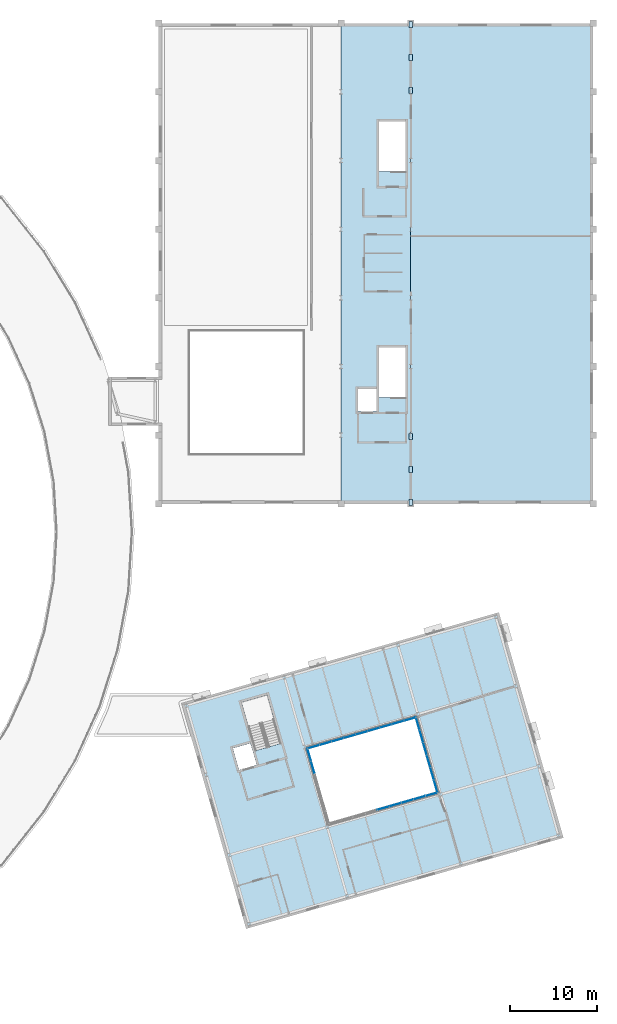
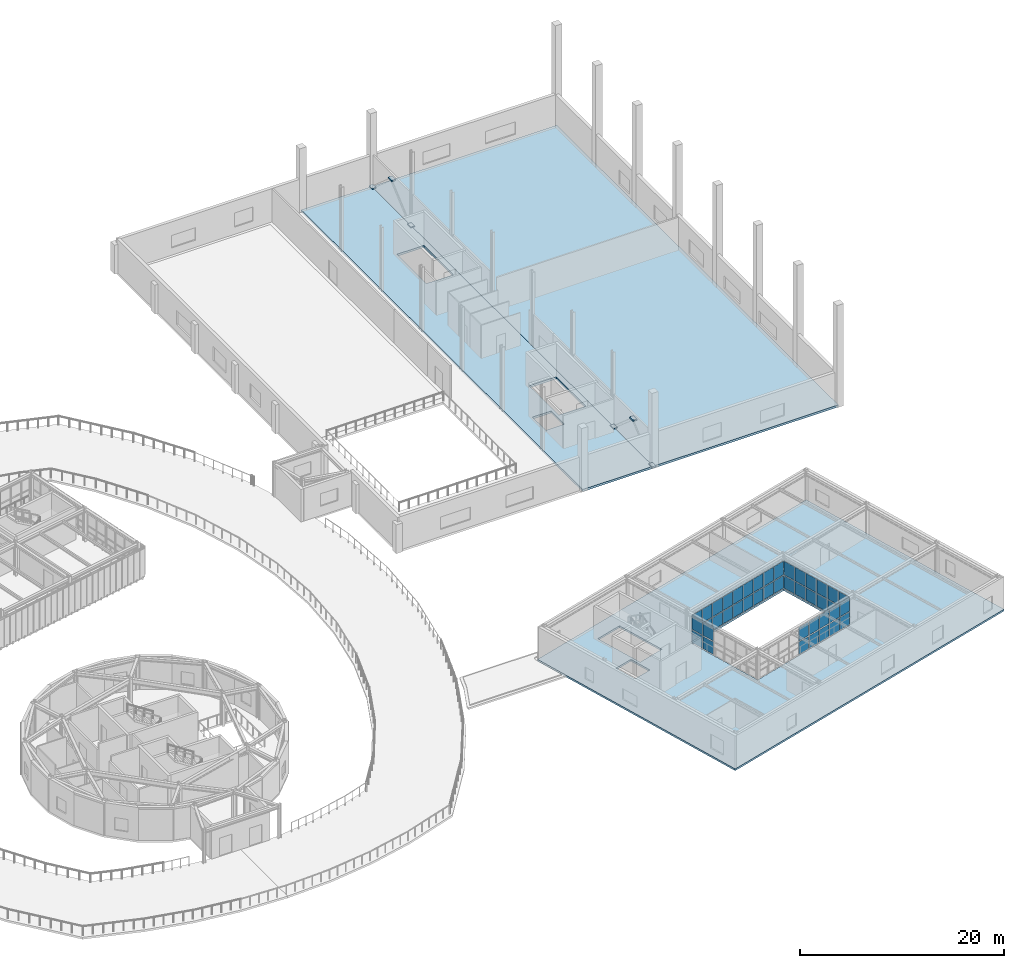
# One storey, part 30 of 59: 50 plates, 3 slabs, 4 elements without a shape of their own.
"""IFC4 building model written with IfcOpenShell, lengths in metres."""

from ifc_helpers import new_model, si_unit, direction, frame, origin, origin_2d, place, context, subcontext, project, spatial, polyline, rectangle, outline, extrude, material, layer, layer_set, type_object, element, aggregate, save


model = new_model("IFC4")

# Units and contexts
model_context = context("Model", 3, precision=1e-05, world=origin(), true_north=direction((0.0, 1.0)))
body_context = subcontext(model_context, "Body", "Model", "MODEL_VIEW")
ifc_project = project(units=[si_unit("LENGTHUNIT", "METRE"), si_unit("AREAUNIT", "SQUARE_METRE"), si_unit("VOLUMEUNIT", "CUBIC_METRE"), si_unit("PLANEANGLEUNIT", "RADIAN"), si_unit("MASSUNIT", "GRAM", prefix="KILO")], contexts=[model_context])

# Site, building, storey
site_placement = place(None, origin())
site = spatial("IfcSite", under=ifc_project, at=site_placement, CompositionType="ELEMENT")
building_placement = place(site_placement, origin())
building = spatial("IfcBuilding", under=site, at=building_placement, Name="Varnklinge Art Gallery", CompositionType="ELEMENT")
storey_placement = place(building_placement, frame((0.0, 0.0, 9.52001953125)))
storey = spatial("IfcBuildingStorey", under=building, at=storey_placement, Name="L02", CompositionType="ELEMENT", Elevation=9.52001953125)

# Curtain wall, plates
ifc_material_1 = material(Name="Anodised Aluminium", Category="aluminium")
curtain_wall_type = type_object("IfcCurtainWallType", Name="CW-C03", PredefinedType="USERDEFINED", material=ifc_material_1)
curtain_wall_1_placement = place(storey_placement, origin())
curtain_wall_1 = element("IfcCurtainWall", 1, at=curtain_wall_1_placement, inside=storey, type_object=curtain_wall_type, Name="L02 Curtain Wall CW-V6C-L02-1", ObjectType="UNITISED CURTAIN WALL", PredefinedType="USERDEFINED")
ifc_material_2 = material(Name="Insulated Low-E Triple Glazing", Category="glass")
ifc_layer_1 = layer(ifc_material_2, 0.031982421875)
ifc_layer_set_1 = layer_set([ifc_layer_1], Name="Insulated Low-E Triple Glazing")
plate_type_1 = type_object("IfcPlateType", Name="GLZ-32", PredefinedType="CURTAIN_PANEL", material=ifc_layer_set_1)
plate_1_placement = place(storey_placement, frame((145.77978515625, 24.7626953125, 0.1181640625), z_axis=(0.0, 0.0, 1.0), x_axis=(-0.961261695938, -0.275637355817, 0.0)))
plate_1 = element("IfcPlate", 2, at=plate_1_placement, type_object=plate_type_1, Name="CW-V6C-L02-1 Glazing Panel 1.1", PredefinedType="CURTAIN_PANEL", context=body_context, shape_type="SweptSolid", body=[
    extrude(rectangle(XDim=1.3583984375, YDim=0.031982421875, at=origin_2d()), origin(), (0.0, 0.0, 1.0), 1.489501953125),
])
plate_2_placement = place(storey_placement, frame((145.77978515625, 24.7626953125, 1.7236328125), z_axis=(0.0, 0.0, 1.0), x_axis=(-0.961261695938, -0.275637355817, 0.0)))
plate_2 = element("IfcPlate", 3, at=plate_2_placement, type_object=plate_type_1, Name="CW-V6C-L02-1 Glazing Panel 1.2", PredefinedType="CURTAIN_PANEL", context=body_context, shape_type="SweptSolid", body=[
    extrude(rectangle(XDim=1.3583984375, YDim=0.031982421875, at=origin_2d()), origin(), (0.0, 0.0, 1.0), 1.62841796875),
])
plate_3_placement = place(storey_placement, frame((144.406005859375, 24.368896484375, 0.1181640625), z_axis=(0.0, 0.0, 1.0), x_axis=(-0.961261695938, -0.275637355817, 0.0)))
plate_3 = element("IfcPlate", 4, at=plate_3_placement, type_object=plate_type_1, Name="CW-V6C-L02-1 Glazing Panel 2.1", PredefinedType="CURTAIN_PANEL", context=body_context, shape_type="SweptSolid", body=[
    extrude(rectangle(XDim=1.388427734375, YDim=0.031982421875, at=origin_2d()), origin(), (0.0, 0.0, 1.0), 1.489501953125),
])
plate_4_placement = place(storey_placement, frame((144.406005859375, 24.368896484375, 1.7236328125), z_axis=(0.0, 0.0, 1.0), x_axis=(-0.961261695938, -0.275637355817, 0.0)))
plate_4 = element("IfcPlate", 5, at=plate_4_placement, type_object=plate_type_1, Name="CW-V6C-L02-1 Glazing Panel 2.2", PredefinedType="CURTAIN_PANEL", context=body_context, shape_type="SweptSolid", body=[
    extrude(rectangle(XDim=1.388427734375, YDim=0.031982421875, at=origin_2d()), origin(), (0.0, 0.0, 1.0), 1.62841796875),
])
plate_5_placement = place(storey_placement, frame((143.017333984375, 23.970703125, 0.1181640625), z_axis=(0.0, 0.0, 1.0), x_axis=(-0.961261695938, -0.275637355817, 0.0)))
plate_5 = element("IfcPlate", 6, at=plate_5_placement, type_object=plate_type_1, Name="CW-V6C-L02-1 Glazing Panel 3.1", PredefinedType="CURTAIN_PANEL", context=body_context, shape_type="SweptSolid", body=[
    extrude(rectangle(XDim=1.388427734375, YDim=0.031982421875, at=origin_2d()), origin(), (0.0, 0.0, 1.0), 1.489501953125),
])
plate_6_placement = place(storey_placement, frame((143.017333984375, 23.970703125, 1.7236328125), z_axis=(0.0, 0.0, 1.0), x_axis=(-0.961261695938, -0.275637355817, 0.0)))
plate_6 = element("IfcPlate", 7, at=plate_6_placement, type_object=plate_type_1, Name="CW-V6C-L02-1 Glazing Panel 3.2", PredefinedType="CURTAIN_PANEL", context=body_context, shape_type="SweptSolid", body=[
    extrude(rectangle(XDim=1.388427734375, YDim=0.031982421875, at=origin_2d()), origin(), (0.0, 0.0, 1.0), 1.62841796875),
])
plate_7_placement = place(storey_placement, frame((141.62890625, 23.572509765625, 0.1181640625), z_axis=(0.0, 0.0, 1.0), x_axis=(-0.961261695938, -0.275637355817, 0.0)))
plate_7 = element("IfcPlate", 8, at=plate_7_placement, type_object=plate_type_1, Name="CW-V6C-L02-1 Glazing Panel 4.1", PredefinedType="CURTAIN_PANEL", context=body_context, shape_type="SweptSolid", body=[
    extrude(rectangle(XDim=1.388427734375, YDim=0.031982421875, at=origin_2d()), origin(), (0.0, 0.0, 1.0), 1.489501953125),
])
plate_8_placement = place(storey_placement, frame((141.62890625, 23.572509765625, 1.7236328125), z_axis=(0.0, 0.0, 1.0), x_axis=(-0.961261695938, -0.275637355817, 0.0)))
plate_8 = element("IfcPlate", 9, at=plate_8_placement, type_object=plate_type_1, Name="CW-V6C-L02-1 Glazing Panel 4.2", PredefinedType="CURTAIN_PANEL", context=body_context, shape_type="SweptSolid", body=[
    extrude(rectangle(XDim=1.388427734375, YDim=0.031982421875, at=origin_2d()), origin(), (0.0, 0.0, 1.0), 1.62841796875),
])
plate_9_placement = place(storey_placement, frame((140.240478515625, 23.17431640625, 0.1181640625), z_axis=(0.0, 0.0, 1.0), x_axis=(-0.961261695938, -0.275637355817, 0.0)))
plate_9 = element("IfcPlate", 10, at=plate_9_placement, type_object=plate_type_1, Name="CW-V6C-L02-1 Glazing Panel 5.1", PredefinedType="CURTAIN_PANEL", context=body_context, shape_type="SweptSolid", body=[
    extrude(rectangle(XDim=1.388427734375, YDim=0.031982421875, at=origin_2d()), origin(), (0.0, 0.0, 1.0), 1.489501953125),
])
plate_10_placement = place(storey_placement, frame((140.240478515625, 23.17431640625, 1.7236328125), z_axis=(0.0, 0.0, 1.0), x_axis=(-0.961261695938, -0.275637355817, 0.0)))
plate_10 = element("IfcPlate", 11, at=plate_10_placement, type_object=plate_type_1, Name="CW-V6C-L02-1 Glazing Panel 5.2", PredefinedType="CURTAIN_PANEL", context=body_context, shape_type="SweptSolid", body=[
    extrude(rectangle(XDim=1.388427734375, YDim=0.031982421875, at=origin_2d()), origin(), (0.0, 0.0, 1.0), 1.62841796875),
])
aggregate(curtain_wall_1, [plate_1, plate_2, plate_3, plate_4, plate_5, plate_6, plate_7, plate_8, plate_9, plate_10])

curtain_wall_2_placement = place(storey_placement, origin())
curtain_wall_2 = element("IfcCurtainWall", 12, at=curtain_wall_2_placement, inside=storey, type_object=curtain_wall_type, Name="L02 Curtain Wall CW-V6C-L02-2", ObjectType="UNITISED CURTAIN WALL", PredefinedType="USERDEFINED")
plate_11_placement = place(storey_placement, frame((144.21875, 32.8818359375, 0.1181640625), z_axis=(0.0, 0.0, 1.0), x_axis=(0.275637355817, -0.961261695938, 0.0)))
plate_11 = element("IfcPlate", 13, at=plate_11_placement, type_object=plate_type_1, Name="CW-V6C-L02-2 Glazing Panel 1.1", PredefinedType="CURTAIN_PANEL", context=body_context, shape_type="SweptSolid", body=[
    extrude(rectangle(XDim=1.4140625, YDim=0.031982421875, at=origin_2d()), origin(), (0.0, 0.0, 1.0), 1.489501953125),
])
plate_12_placement = place(storey_placement, frame((144.21875, 32.8818359375, 1.7236328125), z_axis=(0.0, 0.0, 1.0), x_axis=(0.275637355817, -0.961261695938, 0.0)))
plate_12 = element("IfcPlate", 14, at=plate_12_placement, type_object=plate_type_1, Name="CW-V6C-L02-2 Glazing Panel 1.2", PredefinedType="CURTAIN_PANEL", context=body_context, shape_type="SweptSolid", body=[
    extrude(rectangle(XDim=1.4140625, YDim=0.031982421875, at=origin_2d()), origin(), (0.0, 0.0, 1.0), 1.62841796875),
])
plate_13_placement = place(storey_placement, frame((144.6279296875, 31.45458984375, 0.1181640625), z_axis=(0.0, 0.0, 1.0), x_axis=(0.275637355817, -0.961261695938, 0.0)))
plate_13 = element("IfcPlate", 15, at=plate_13_placement, type_object=plate_type_1, Name="CW-V6C-L02-2 Glazing Panel 2.1", PredefinedType="CURTAIN_PANEL", context=body_context, shape_type="SweptSolid", body=[
    extrude(rectangle(XDim=1.444091796875, YDim=0.031982421875, at=origin_2d()), origin(), (0.0, 0.0, 1.0), 1.489501953125),
])
plate_14_placement = place(storey_placement, frame((144.6279296875, 31.45458984375, 1.7236328125), z_axis=(0.0, 0.0, 1.0), x_axis=(0.275637355817, -0.961261695938, 0.0)))
plate_14 = element("IfcPlate", 16, at=plate_14_placement, type_object=plate_type_1, Name="CW-V6C-L02-2 Glazing Panel 2.2", PredefinedType="CURTAIN_PANEL", context=body_context, shape_type="SweptSolid", body=[
    extrude(rectangle(XDim=1.444091796875, YDim=0.031982421875, at=origin_2d()), origin(), (0.0, 0.0, 1.0), 1.62841796875),
])
plate_15_placement = place(storey_placement, frame((145.04150390625, 30.0126953125, 0.1181640625), z_axis=(0.0, 0.0, 1.0), x_axis=(0.275637355817, -0.961261695938, 0.0)))
plate_15 = element("IfcPlate", 17, at=plate_15_placement, type_object=plate_type_1, Name="CW-V6C-L02-2 Glazing Panel 3.1", PredefinedType="CURTAIN_PANEL", context=body_context, shape_type="SweptSolid", body=[
    extrude(rectangle(XDim=1.444091796875, YDim=0.031982421875, at=origin_2d()), origin(), (0.0, 0.0, 1.0), 1.489501953125),
])
plate_16_placement = place(storey_placement, frame((145.04150390625, 30.0126953125, 1.7236328125), z_axis=(0.0, 0.0, 1.0), x_axis=(0.275637355817, -0.961261695938, 0.0)))
plate_16 = element("IfcPlate", 18, at=plate_16_placement, type_object=plate_type_1, Name="CW-V6C-L02-2 Glazing Panel 3.2", PredefinedType="CURTAIN_PANEL", context=body_context, shape_type="SweptSolid", body=[
    extrude(rectangle(XDim=1.444091796875, YDim=0.031982421875, at=origin_2d()), origin(), (0.0, 0.0, 1.0), 1.62841796875),
])
plate_17_placement = place(storey_placement, frame((145.454833984375, 28.57080078125, 0.1181640625), z_axis=(0.0, 0.0, 1.0), x_axis=(0.275637355817, -0.961261695938, 0.0)))
plate_17 = element("IfcPlate", 19, at=plate_17_placement, type_object=plate_type_1, Name="CW-V6C-L02-2 Glazing Panel 4.1", PredefinedType="CURTAIN_PANEL", context=body_context, shape_type="SweptSolid", body=[
    extrude(rectangle(XDim=1.444091796875, YDim=0.031982421875, at=origin_2d()), origin(), (0.0, 0.0, 1.0), 1.489501953125),
])
plate_18_placement = place(storey_placement, frame((145.454833984375, 28.57080078125, 1.7236328125), z_axis=(0.0, 0.0, 1.0), x_axis=(0.275637355817, -0.961261695938, 0.0)))
plate_18 = element("IfcPlate", 20, at=plate_18_placement, type_object=plate_type_1, Name="CW-V6C-L02-2 Glazing Panel 4.2", PredefinedType="CURTAIN_PANEL", context=body_context, shape_type="SweptSolid", body=[
    extrude(rectangle(XDim=1.444091796875, YDim=0.031982421875, at=origin_2d()), origin(), (0.0, 0.0, 1.0), 1.62841796875),
])
plate_19_placement = place(storey_placement, frame((145.868408203125, 27.12890625, 0.1181640625), z_axis=(0.0, 0.0, 1.0), x_axis=(0.275637355817, -0.961261695938, 0.0)))
plate_19 = element("IfcPlate", 21, at=plate_19_placement, type_object=plate_type_1, Name="CW-V6C-L02-2 Glazing Panel 5.1", PredefinedType="CURTAIN_PANEL", context=body_context, shape_type="SweptSolid", body=[
    extrude(rectangle(XDim=1.444091796875, YDim=0.031982421875, at=origin_2d()), origin(), (0.0, 0.0, 1.0), 1.489501953125),
])
plate_20_placement = place(storey_placement, frame((145.868408203125, 27.12890625, 1.7236328125), z_axis=(0.0, 0.0, 1.0), x_axis=(0.275637355817, -0.961261695938, 0.0)))
plate_20 = element("IfcPlate", 22, at=plate_20_placement, type_object=plate_type_1, Name="CW-V6C-L02-2 Glazing Panel 5.2", PredefinedType="CURTAIN_PANEL", context=body_context, shape_type="SweptSolid", body=[
    extrude(rectangle(XDim=1.444091796875, YDim=0.031982421875, at=origin_2d()), origin(), (0.0, 0.0, 1.0), 1.62841796875),
])
plate_21_placement = place(storey_placement, frame((146.277587890625, 25.701416015625, 0.1181640625), z_axis=(0.0, 0.0, 1.0), x_axis=(0.275637355817, -0.961261695938, 0.0)))
plate_21 = element("IfcPlate", 23, at=plate_21_placement, type_object=plate_type_1, Name="CW-V6C-L02-2 Glazing Panel 6.1", PredefinedType="CURTAIN_PANEL", context=body_context, shape_type="SweptSolid", body=[
    extrude(rectangle(XDim=1.4140625, YDim=0.031982421875, at=origin_2d()), origin(), (0.0, 0.0, 1.0), 1.489501953125),
])
plate_22_placement = place(storey_placement, frame((146.277587890625, 25.701416015625, 1.7236328125), z_axis=(0.0, 0.0, 1.0), x_axis=(0.275637355817, -0.961261695938, 0.0)))
plate_22 = element("IfcPlate", 24, at=plate_22_placement, type_object=plate_type_1, Name="CW-V6C-L02-2 Glazing Panel 6.2", PredefinedType="CURTAIN_PANEL", context=body_context, shape_type="SweptSolid", body=[
    extrude(rectangle(XDim=1.4140625, YDim=0.031982421875, at=origin_2d()), origin(), (0.0, 0.0, 1.0), 1.62841796875),
])
aggregate(curtain_wall_2, [plate_11, plate_12, plate_13, plate_14, plate_15, plate_16, plate_17, plate_18, plate_19, plate_20, plate_21, plate_22])

curtain_wall_3_placement = place(storey_placement, origin())
curtain_wall_3 = element("IfcCurtainWall", 25, at=curtain_wall_3_placement, inside=storey, type_object=curtain_wall_type, Name="L02 Curtain Wall CW-V6C-L02-3", ObjectType="UNITISED CURTAIN WALL", PredefinedType="USERDEFINED")
plate_23_placement = place(storey_placement, frame((132.22021484375, 30.2373046875, 0.1181640625), z_axis=(0.0, 0.0, 1.0), x_axis=(0.961261695938, 0.275637355817, 0.0)))
plate_23 = element("IfcPlate", 26, at=plate_23_placement, type_object=plate_type_1, Name="CW-V6C-L02-3 Glazing Panel 1.1", PredefinedType="CURTAIN_PANEL", context=body_context, shape_type="SweptSolid", body=[
    extrude(rectangle(XDim=1.3583984375, YDim=0.031982421875, at=origin_2d()), origin(), (0.0, 0.0, 1.0), 1.489501953125),
])
plate_24_placement = place(storey_placement, frame((132.22021484375, 30.2373046875, 1.7236328125), z_axis=(0.0, 0.0, 1.0), x_axis=(0.961261695938, 0.275637355817, 0.0)))
plate_24 = element("IfcPlate", 27, at=plate_24_placement, type_object=plate_type_1, Name="CW-V6C-L02-3 Glazing Panel 1.2", PredefinedType="CURTAIN_PANEL", context=body_context, shape_type="SweptSolid", body=[
    extrude(rectangle(XDim=1.3583984375, YDim=0.031982421875, at=origin_2d()), origin(), (0.0, 0.0, 1.0), 1.62841796875),
])
plate_25_placement = place(storey_placement, frame((133.593994140625, 30.631103515625, 0.1181640625), z_axis=(0.0, 0.0, 1.0), x_axis=(0.961261695938, 0.275637355817, 0.0)))
plate_25 = element("IfcPlate", 28, at=plate_25_placement, type_object=plate_type_1, Name="CW-V6C-L02-3 Glazing Panel 2.1", PredefinedType="CURTAIN_PANEL", context=body_context, shape_type="SweptSolid", body=[
    extrude(rectangle(XDim=1.388427734375, YDim=0.031982421875, at=origin_2d()), origin(), (0.0, 0.0, 1.0), 1.489501953125),
])
plate_26_placement = place(storey_placement, frame((133.593994140625, 30.631103515625, 1.7236328125), z_axis=(0.0, 0.0, 1.0), x_axis=(0.961261695938, 0.275637355817, 0.0)))
plate_26 = element("IfcPlate", 29, at=plate_26_placement, type_object=plate_type_1, Name="CW-V6C-L02-3 Glazing Panel 2.2", PredefinedType="CURTAIN_PANEL", context=body_context, shape_type="SweptSolid", body=[
    extrude(rectangle(XDim=1.388427734375, YDim=0.031982421875, at=origin_2d()), origin(), (0.0, 0.0, 1.0), 1.62841796875),
])
plate_27_placement = place(storey_placement, frame((134.982666015625, 31.029296875, 0.1181640625), z_axis=(0.0, 0.0, 1.0), x_axis=(0.961261695938, 0.275637355817, 0.0)))
plate_27 = element("IfcPlate", 30, at=plate_27_placement, type_object=plate_type_1, Name="CW-V6C-L02-3 Glazing Panel 3.1", PredefinedType="CURTAIN_PANEL", context=body_context, shape_type="SweptSolid", body=[
    extrude(rectangle(XDim=1.388427734375, YDim=0.031982421875, at=origin_2d()), origin(), (0.0, 0.0, 1.0), 1.489501953125),
])
plate_28_placement = place(storey_placement, frame((134.982666015625, 31.029296875, 1.7236328125), z_axis=(0.0, 0.0, 1.0), x_axis=(0.961261695938, 0.275637355817, 0.0)))
plate_28 = element("IfcPlate", 31, at=plate_28_placement, type_object=plate_type_1, Name="CW-V6C-L02-3 Glazing Panel 3.2", PredefinedType="CURTAIN_PANEL", context=body_context, shape_type="SweptSolid", body=[
    extrude(rectangle(XDim=1.388427734375, YDim=0.031982421875, at=origin_2d()), origin(), (0.0, 0.0, 1.0), 1.62841796875),
])
plate_29_placement = place(storey_placement, frame((136.37109375, 31.427490234375, 0.1181640625), z_axis=(0.0, 0.0, 1.0), x_axis=(0.961261695938, 0.275637355817, 0.0)))
plate_29 = element("IfcPlate", 32, at=plate_29_placement, type_object=plate_type_1, Name="CW-V6C-L02-3 Glazing Panel 4.1", PredefinedType="CURTAIN_PANEL", context=body_context, shape_type="SweptSolid", body=[
    extrude(rectangle(XDim=1.388427734375, YDim=0.031982421875, at=origin_2d()), origin(), (0.0, 0.0, 1.0), 1.489501953125),
])
plate_30_placement = place(storey_placement, frame((136.37109375, 31.427490234375, 1.7236328125), z_axis=(0.0, 0.0, 1.0), x_axis=(0.961261695938, 0.275637355817, 0.0)))
plate_30 = element("IfcPlate", 33, at=plate_30_placement, type_object=plate_type_1, Name="CW-V6C-L02-3 Glazing Panel 4.2", PredefinedType="CURTAIN_PANEL", context=body_context, shape_type="SweptSolid", body=[
    extrude(rectangle(XDim=1.388427734375, YDim=0.031982421875, at=origin_2d()), origin(), (0.0, 0.0, 1.0), 1.62841796875),
])
plate_31_placement = place(storey_placement, frame((137.759521484375, 31.82568359375, 0.1181640625), z_axis=(0.0, 0.0, 1.0), x_axis=(0.961261695938, 0.275637355817, 0.0)))
plate_31 = element("IfcPlate", 34, at=plate_31_placement, type_object=plate_type_1, Name="CW-V6C-L02-3 Glazing Panel 5.1", PredefinedType="CURTAIN_PANEL", context=body_context, shape_type="SweptSolid", body=[
    extrude(rectangle(XDim=1.388427734375, YDim=0.031982421875, at=origin_2d()), origin(), (0.0, 0.0, 1.0), 1.489501953125),
])
plate_32_placement = place(storey_placement, frame((137.759521484375, 31.82568359375, 1.7236328125), z_axis=(0.0, 0.0, 1.0), x_axis=(0.961261695938, 0.275637355817, 0.0)))
plate_32 = element("IfcPlate", 35, at=plate_32_placement, type_object=plate_type_1, Name="CW-V6C-L02-3 Glazing Panel 5.2", PredefinedType="CURTAIN_PANEL", context=body_context, shape_type="SweptSolid", body=[
    extrude(rectangle(XDim=1.388427734375, YDim=0.031982421875, at=origin_2d()), origin(), (0.0, 0.0, 1.0), 1.62841796875),
])
plate_33_placement = place(storey_placement, frame((139.148193359375, 32.223876953125, 0.1181640625), z_axis=(0.0, 0.0, 1.0), x_axis=(0.961261695938, 0.275637355817, 0.0)))
plate_33 = element("IfcPlate", 36, at=plate_33_placement, type_object=plate_type_1, Name="CW-V6C-L02-3 Glazing Panel 6.1", PredefinedType="CURTAIN_PANEL", context=body_context, shape_type="SweptSolid", body=[
    extrude(rectangle(XDim=1.388427734375, YDim=0.031982421875, at=origin_2d()), origin(), (0.0, 0.0, 1.0), 1.489501953125),
])
plate_34_placement = place(storey_placement, frame((139.148193359375, 32.223876953125, 1.7236328125), z_axis=(0.0, 0.0, 1.0), x_axis=(0.961261695938, 0.275637355817, 0.0)))
plate_34 = element("IfcPlate", 37, at=plate_34_placement, type_object=plate_type_1, Name="CW-V6C-L02-3 Glazing Panel 6.2", PredefinedType="CURTAIN_PANEL", context=body_context, shape_type="SweptSolid", body=[
    extrude(rectangle(XDim=1.388427734375, YDim=0.031982421875, at=origin_2d()), origin(), (0.0, 0.0, 1.0), 1.62841796875),
])
plate_35_placement = place(storey_placement, frame((140.53662109375, 32.621826171875, 0.1181640625), z_axis=(0.0, 0.0, 1.0), x_axis=(0.961261695938, 0.275637355817, 0.0)))
plate_35 = element("IfcPlate", 38, at=plate_35_placement, type_object=plate_type_1, Name="CW-V6C-L02-3 Glazing Panel 7.1", PredefinedType="CURTAIN_PANEL", context=body_context, shape_type="SweptSolid", body=[
    extrude(rectangle(XDim=1.388427734375, YDim=0.031982421875, at=origin_2d()), origin(), (0.0, 0.0, 1.0), 1.489501953125),
])
plate_36_placement = place(storey_placement, frame((140.53662109375, 32.621826171875, 1.7236328125), z_axis=(0.0, 0.0, 1.0), x_axis=(0.961261695938, 0.275637355817, 0.0)))
plate_36 = element("IfcPlate", 39, at=plate_36_placement, type_object=plate_type_1, Name="CW-V6C-L02-3 Glazing Panel 7.2", PredefinedType="CURTAIN_PANEL", context=body_context, shape_type="SweptSolid", body=[
    extrude(rectangle(XDim=1.388427734375, YDim=0.031982421875, at=origin_2d()), origin(), (0.0, 0.0, 1.0), 1.62841796875),
])
plate_37_placement = place(storey_placement, frame((141.925048828125, 33.02001953125, 0.1181640625), z_axis=(0.0, 0.0, 1.0), x_axis=(0.961261695938, 0.275637355817, 0.0)))
plate_37 = element("IfcPlate", 40, at=plate_37_placement, type_object=plate_type_1, Name="CW-V6C-L02-3 Glazing Panel 8.1", PredefinedType="CURTAIN_PANEL", context=body_context, shape_type="SweptSolid", body=[
    extrude(rectangle(XDim=1.388427734375, YDim=0.031982421875, at=origin_2d()), origin(), (0.0, 0.0, 1.0), 1.489501953125),
])
plate_38_placement = place(storey_placement, frame((141.925048828125, 33.02001953125, 1.7236328125), z_axis=(0.0, 0.0, 1.0), x_axis=(0.961261695938, 0.275637355817, 0.0)))
plate_38 = element("IfcPlate", 41, at=plate_38_placement, type_object=plate_type_1, Name="CW-V6C-L02-3 Glazing Panel 8.2", PredefinedType="CURTAIN_PANEL", context=body_context, shape_type="SweptSolid", body=[
    extrude(rectangle(XDim=1.388427734375, YDim=0.031982421875, at=origin_2d()), origin(), (0.0, 0.0, 1.0), 1.62841796875),
])
plate_39_placement = place(storey_placement, frame((143.299072265625, 33.4140625, 0.1181640625), z_axis=(0.0, 0.0, 1.0), x_axis=(0.961261695938, 0.275637355817, 0.0)))
plate_39 = element("IfcPlate", 42, at=plate_39_placement, type_object=plate_type_1, Name="CW-V6C-L02-3 Glazing Panel 9.1", PredefinedType="CURTAIN_PANEL", context=body_context, shape_type="SweptSolid", body=[
    extrude(rectangle(XDim=1.3583984375, YDim=0.031982421875, at=origin_2d()), origin(), (0.0, 0.0, 1.0), 1.489501953125),
])
plate_40_placement = place(storey_placement, frame((143.299072265625, 33.4140625, 1.7236328125), z_axis=(0.0, 0.0, 1.0), x_axis=(0.961261695938, 0.275637355817, 0.0)))
plate_40 = element("IfcPlate", 43, at=plate_40_placement, type_object=plate_type_1, Name="CW-V6C-L02-3 Glazing Panel 9.2", PredefinedType="CURTAIN_PANEL", context=body_context, shape_type="SweptSolid", body=[
    extrude(rectangle(XDim=1.3583984375, YDim=0.031982421875, at=origin_2d()), origin(), (0.0, 0.0, 1.0), 1.62841796875),
])
aggregate(curtain_wall_3, [plate_23, plate_24, plate_25, plate_26, plate_27, plate_28, plate_29, plate_30, plate_31, plate_32, plate_33, plate_34, plate_35, plate_36, plate_37, plate_38, plate_39, plate_40])

curtain_wall_4_placement = place(storey_placement, origin())
curtain_wall_4 = element("IfcCurtainWall", 44, at=curtain_wall_4_placement, inside=storey, type_object=curtain_wall_type, Name="L02 Curtain Wall CW-V6C-L02-4", ObjectType="UNITISED CURTAIN WALL", PredefinedType="USERDEFINED")
plate_41_placement = place(storey_placement, frame((132.131591796875, 27.87109375, 0.1181640625), z_axis=(0.0, 0.0, 1.0), x_axis=(-0.275637355817, 0.961261695938, 0.0)))
plate_41 = element("IfcPlate", 45, at=plate_41_placement, type_object=plate_type_1, Name="CW-V6C-L02-4 Glazing Panel 5.1", PredefinedType="CURTAIN_PANEL", context=body_context, shape_type="SweptSolid", body=[
    extrude(rectangle(XDim=1.444091796875, YDim=0.031982421875, at=origin_2d()), origin(), (0.0, 0.0, 1.0), 1.489501953125),
])
plate_42_placement = place(storey_placement, frame((132.131591796875, 27.87109375, 1.7236328125), z_axis=(0.0, 0.0, 1.0), x_axis=(-0.275637355817, 0.961261695938, 0.0)))
plate_42 = element("IfcPlate", 46, at=plate_42_placement, type_object=plate_type_1, Name="CW-V6C-L02-4 Glazing Panel 5.2", PredefinedType="CURTAIN_PANEL", context=body_context, shape_type="SweptSolid", body=[
    extrude(rectangle(XDim=1.444091796875, YDim=0.031982421875, at=origin_2d()), origin(), (0.0, 0.0, 1.0), 1.62841796875),
])
plate_43_placement = place(storey_placement, frame((131.722412109375, 29.298583984375, 0.1181640625), z_axis=(0.0, 0.0, 1.0), x_axis=(-0.275637355817, 0.961261695938, 0.0)))
plate_43 = element("IfcPlate", 47, at=plate_43_placement, type_object=plate_type_1, Name="CW-V6C-L02-4 Glazing Panel 6.1", PredefinedType="CURTAIN_PANEL", context=body_context, shape_type="SweptSolid", body=[
    extrude(rectangle(XDim=1.4140625, YDim=0.031982421875, at=origin_2d()), origin(), (0.0, 0.0, 1.0), 1.489501953125),
])
plate_44_placement = place(storey_placement, frame((131.722412109375, 29.298583984375, 1.7236328125), z_axis=(0.0, 0.0, 1.0), x_axis=(-0.275637355817, 0.961261695938, 0.0)))
plate_44 = element("IfcPlate", 48, at=plate_44_placement, type_object=plate_type_1, Name="CW-V6C-L02-4 Glazing Panel 6.2", PredefinedType="CURTAIN_PANEL", context=body_context, shape_type="SweptSolid", body=[
    extrude(rectangle(XDim=1.4140625, YDim=0.031982421875, at=origin_2d()), origin(), (0.0, 0.0, 1.0), 1.62841796875),
])
aggregate(curtain_wall_4, [plate_41, plate_42, plate_43, plate_44])

# Plates
ifc_material_3 = material(Name="Steel S355", Category="steel")
ifc_layer_2 = layer(ifc_material_3, 0.159912109375)
ifc_layer_set_2 = layer_set([ifc_layer_2], Name="Steel S355")
plate_type_2 = type_object("IfcPlateType", Name="PLT-GP2", PredefinedType="USERDEFINED", material=ifc_layer_set_2)
for number, where, z_axis, x_axis, name in (
    (49, (143.39990234375, 58.360107421875, -0.06005859375), (0.0, 0.0, 1.0), (0.0, 1.0, 0.0), "L02 Braced Frame Gusset Node Block V1E-B0-L"),
    (50, (143.39990234375, 65.93994140625, -0.06005859375), (0.0, 0.0, 1.0), (0.0, 1.0, 0.0), "L02 Braced Frame Gusset Node Block V1E-B0-R"),
    (51, (143.39990234375, 62.14990234375, 3.22998046875), (0.0, 0.0, 1.0), (0.0, 1.0, 0.0), "L02 Braced Frame Gusset Node Block V1E-B0-M"),
    (52, (143.39990234375, 105.760009765625, -0.06005859375), (0.0, 0.0, 1.0), (0.0, 1.0, 0.0), "L02 Braced Frame Gusset Node Block V1E-B6-L"),
    (53, (143.39990234375, 113.340087890625, -0.06005859375), (0.0, 0.0, 1.0), (0.0, 1.0, 0.0), "L02 Braced Frame Gusset Node Block V1E-B6-R"),
    (54, (143.39990234375, 109.550048828125, 3.22998046875), (0.0, 0.0, 1.0), (0.0, 1.0, 0.0), "L02 Braced Frame Gusset Node Block V1E-B6-M"),
):
    element("IfcPlate", number, at=place(storey_placement, frame(where, z_axis=z_axis, x_axis=x_axis)), inside=storey, type_object=plate_type_2, Name=name, ObjectType="GUSSET PLATE", PredefinedType="USERDEFINED", context=body_context, shape_type="SweptSolid", body=[
        extrude(rectangle(XDim=0.679931640625, YDim=0.43994140625, at=origin_2d()), origin(), (0.0, 0.0, 1.0), 0.159912109375),
    ])

# Slabs
ifc_material_4 = material(Name="Concrete C35/45", Category="concrete")
ifc_layer_3 = layer(ifc_material_4, 0.219970703125)
ifc_layer_set_3 = layer_set([ifc_layer_3], Name="Concrete C35/45")
slab_type_1 = type_object("IfcSlabType", Name="SLB-F22", PredefinedType="FLOOR", material=ifc_layer_set_3)
slab_1_placement = place(storey_placement, frame((0.0, 0.0, -0.219970703125)))
element("IfcSlab", 55, at=slab_1_placement, inside=storey, type_object=slab_type_1, Name="L02 Artists Studios Courtyard Wing Slab", PredefinedType="FLOOR", context=body_context, shape_type="SweptSolid", body=[
    extrude(outline(polyline([(153.54296875, 45.714111328125), (117.014892578125, 35.239990234375), (124.45703125, 9.285888671875), (160.985107421875, 19.760009765625), (153.54296875, 45.714111328125)]), holes=[polyline([(133.9921875, 21.3828125), (131.511474609375, 30.033935546875), (144.0078125, 33.6171875), (146.488525390625, 24.966064453125), (133.9921875, 21.3828125)]), polyline([(122.9384765625, 30.064453125), (124.95703125, 30.643310546875), (125.673828125, 28.14404296875), (123.6552734375, 27.565185546875), (122.9384765625, 30.064453125)]), polyline([(126.864013671875, 36.18359375), (128.455810546875, 30.632080078125), (125.51416015625, 29.788818359375), (123.92236328125, 35.340087890625), (126.864013671875, 36.18359375)])]), origin(), (0.0, 0.0, 1.0), 0.219970703125),
])
ifc_material_5 = material(Name="Concrete C35/45", Category="concrete")
ifc_layer_4 = layer(ifc_material_5, 0.25)
ifc_layer_set_4 = layer_set([ifc_layer_4], Name="Concrete C35/45")
slab_type_2 = type_object("IfcSlabType", Name="SLB-F25", PredefinedType="FLOOR", material=ifc_layer_set_4)
slab_2_placement = place(storey_placement, frame((0.0, 0.0, -0.25)))
element("IfcSlab", 56, at=slab_2_placement, inside=storey, type_object=slab_type_2, Name="L02 Shell Hall S Floor Slab", PredefinedType="FLOOR", context=body_context, shape_type="SweptSolid", body=[
    extrude(outline(polyline([(143.39990234375, 113.5), (135.39990234375, 113.5), (135.39990234375, 58.199951171875), (143.39990234375, 58.199951171875), (143.39990234375, 113.5)]), holes=[polyline([(139.43994140625, 68.800048828125), (137.340087890625, 68.800048828125), (137.340087890625, 71.39990234375), (139.43994140625, 71.39990234375), (139.43994140625, 68.800048828125)]), polyline([(139.739990234375, 76.199951171875), (142.800048828125, 76.199951171875), (142.800048828125, 70.425048828125), (139.739990234375, 70.425048828125), (139.739990234375, 76.199951171875)]), polyline([(142.800048828125, 102.199951171875), (142.800048828125, 96.425048828125), (139.739990234375, 96.425048828125), (139.739990234375, 102.199951171875), (142.800048828125, 102.199951171875)])]), origin(), (0.0, 0.0, 1.0), 0.25),
])
slab_3_placement = place(storey_placement, frame((0.0, 0.0, -0.25)))
element("IfcSlab", 57, at=slab_3_placement, inside=storey, type_object=slab_type_2, Name="L02 Shell Hall E Floor Slab", PredefinedType="FLOOR", context=body_context, shape_type="SweptSolid", body=[
    extrude(outline(polyline([(164.39990234375, 58.199951171875), (164.39990234375, 113.5), (143.39990234375, 113.5), (143.39990234375, 58.199951171875), (164.39990234375, 58.199951171875)])), origin(), (0.0, 0.0, 1.0), 0.25),
])

save(model, "model.ifc")
